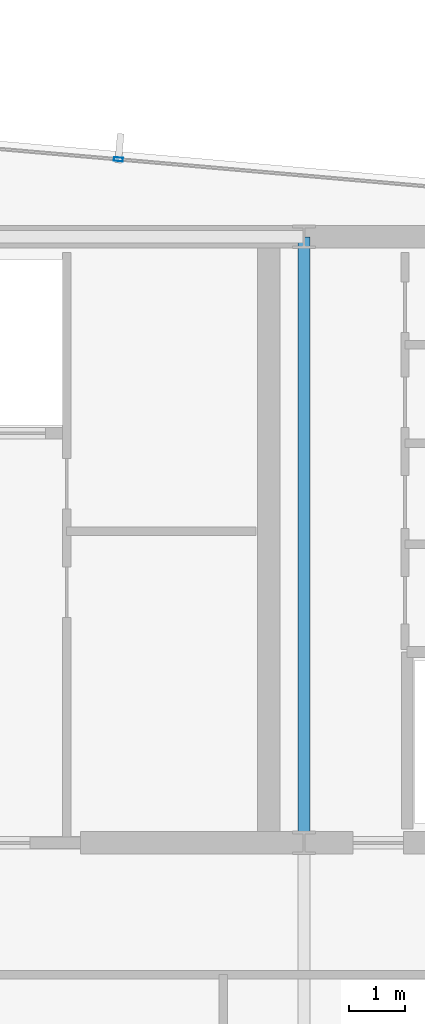
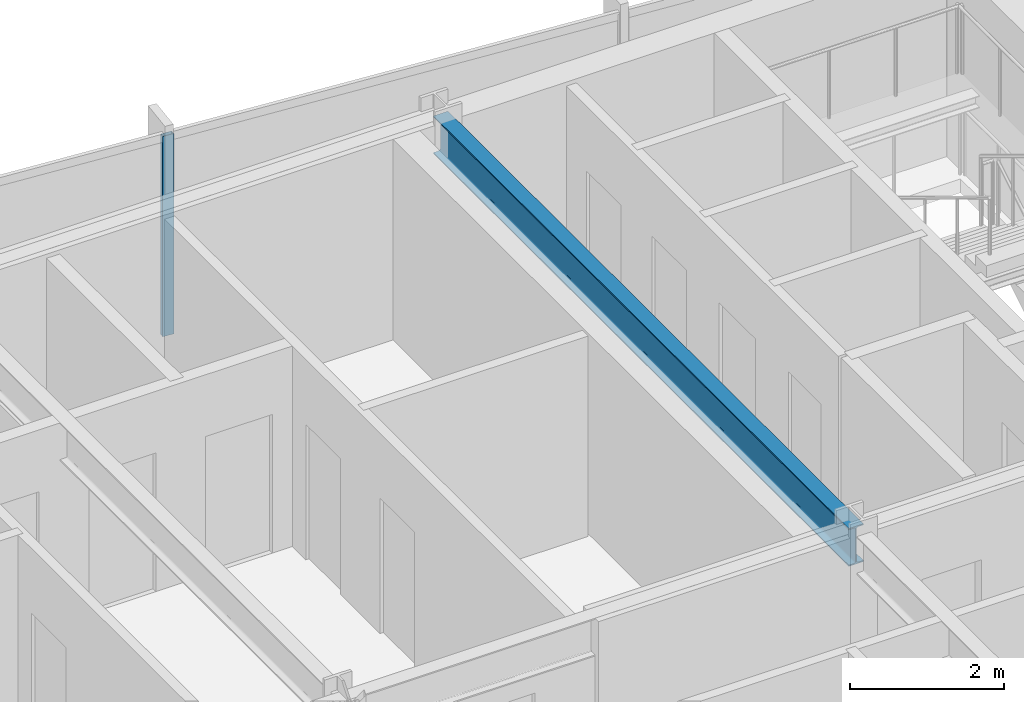
# One storey, part 19 of 32: 1 beam, 1 member, 1 element without a shape of its own.
"""IFC4 building model written with IfcOpenShell, lengths in metres."""

from ifc_helpers import new_model, si_unit, direction, frame, origin, origin_2d, place, context, subcontext, project, spatial, hollow_rectangle, i_section, extrude, material, material_profile, profile_set, type_object, element, aggregate, save


model = new_model("IFC4")

# Units and contexts
model_context = context("Model", 3, precision=1e-05, world=origin(), true_north=direction((0.0, 1.0)))
body_context = subcontext(model_context, "Body", "Model", "MODEL_VIEW")
ifc_project = project(units=[si_unit("LENGTHUNIT", "METRE"), si_unit("AREAUNIT", "SQUARE_METRE"), si_unit("VOLUMEUNIT", "CUBIC_METRE"), si_unit("PLANEANGLEUNIT", "RADIAN"), si_unit("MASSUNIT", "GRAM", prefix="KILO")], contexts=[model_context])

# Site, building, storey
site_placement = place(None, origin())
site = spatial("IfcSite", under=ifc_project, at=site_placement, CompositionType="ELEMENT")
building_placement = place(site_placement, origin())
building = spatial("IfcBuilding", under=site, at=building_placement, Name="Yelkora Congress Tower", CompositionType="ELEMENT")
storey_placement = place(building_placement, frame((0.0, 0.0, 272.699951171875)))
storey = spatial("IfcBuildingStorey", under=building, at=storey_placement, Name="L76", CompositionType="ELEMENT", Elevation=272.699951171875)

# Beam
ifc_material_1 = material(Name="Steel S355J2", Category="steel")
ifc_material_profile_1 = material_profile(ifc_material_1, i_section(OverallWidth=0.219970703125, OverallDepth=0.60009765625, WebThickness=0.011962890625, FlangeThickness=0.01904296875, FilletRadius=0.02392578125, at=origin_2d()), Name="IPE 600")
ifc_profile_set_1 = profile_set([ifc_material_profile_1], Name="Steel S355J2")
beam_type = type_object("IfcBeamType", Name="BM-GIRD-IPE600", PredefinedType="BEAM", material=ifc_profile_set_1)
beam_placement = place(storey_placement, frame((46.080078125, 35.39990234375, 2.880126953125), z_axis=(0.0, 1.0, 0.0), x_axis=(-1.0, 0.0, 0.0)))
element("IfcBeam", 1, at=beam_placement, inside=storey, type_object=beam_type, Name="L76 Core Tie Girder MC-S4", PredefinedType="BEAM", context=body_context, shape_type="SweptSolid", body=[
    extrude(i_section(OverallWidth=0.219970703125, OverallDepth=0.60009765625, WebThickness=0.011962890625, FlangeThickness=0.01904296875, FilletRadius=0.02392578125, at=origin_2d()), origin(), (0.0, 0.0, 1.0), 10.800048828125),
])

# Curtain wall, member
ifc_material_2 = material(Name="Anodised aluminium and insulated glass", Category="aluminium")
curtain_wall_type = type_object("IfcCurtainWallType", Name="CW-SYS-B5", PredefinedType="NOTDEFINED", material=ifc_material_2)
curtain_wall_placement = place(storey_placement, origin())
curtain_wall = element("IfcCurtainWall", 2, at=curtain_wall_placement, inside=storey, type_object=curtain_wall_type, Name="L76 Unitised Curtain Wall 10", PredefinedType="NOTDEFINED")
ifc_material_3 = material(Name="Anodised aluminium 6063-T6", Category="aluminium")
ifc_material_profile_2 = material_profile(ifc_material_3, hollow_rectangle(XDim=0.06494140625, YDim=0.159912109375, WallThickness=0.00390625, at=origin_2d()), Name="ALU 65x160x4")
ifc_profile_set_2 = profile_set([ifc_material_profile_2], Name="Anodised aluminium 6063-T6")
member_type = type_object("IfcMemberType", Name="MEM-ML-B5", PredefinedType="MULLION", material=ifc_profile_set_2)
member_placement = place(storey_placement, frame((42.77294921875, 47.58154296875, 0.0), z_axis=(0.0, 0.0, 1.0), x_axis=(0.087156639893, 0.996194619601, 0.0)))
member = element("IfcMember", 3, at=member_placement, type_object=member_type, Name="CW-B5 mullion 6", PredefinedType="MULLION", context=body_context, shape_type="SweptSolid", body=[
    extrude(hollow_rectangle(XDim=0.06494140625, YDim=0.159912109375, WallThickness=0.00390625, at=origin_2d()), origin(), (0.0, 0.0, 1.0), 3.179931640625),
])
aggregate(curtain_wall, [member])

save(model, "model.ifc")
